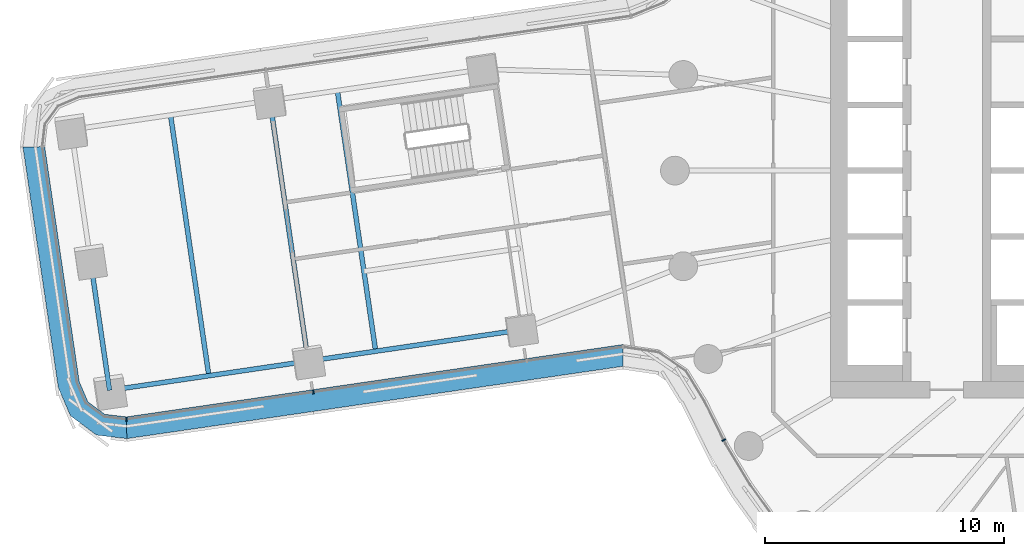
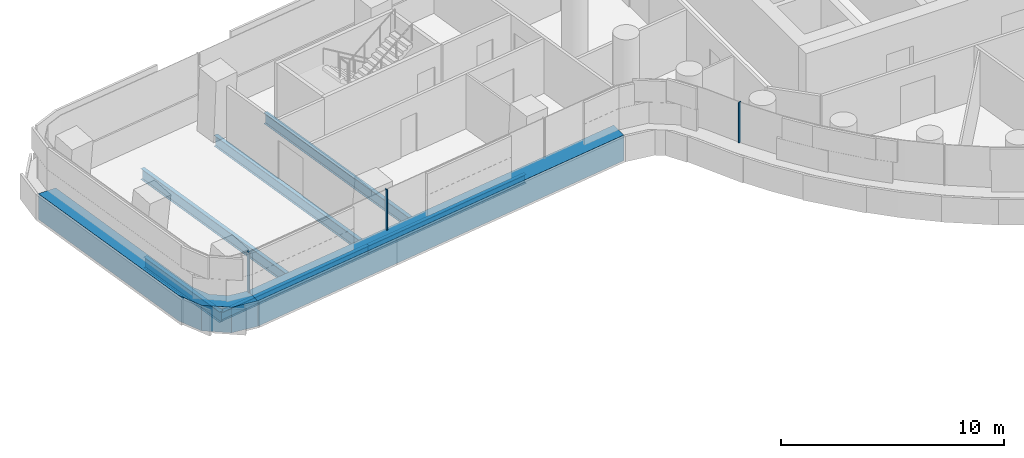
# One storey, part 4 of 31: 6 beams, 5 members, 3 elements without a shape of their own.
"""IFC4 building model written with IfcOpenShell, lengths in metres."""

from ifc_helpers import new_model, si_unit, direction, frame, origin, origin_2d, place, context, subcontext, project, spatial, polyline, rectangle, i_section, outline, extrude, material, layer, layer_set, material_profile, profile_set, type_object, element, aggregate, save


model = new_model("IFC4")

# Units and contexts
model_context = context("Model", 3, precision=1e-05, world=origin(), true_north=direction((0.0, 1.0)))
body_context = subcontext(model_context, "Body", "Model", "MODEL_VIEW")
ifc_project = project(units=[si_unit("LENGTHUNIT", "METRE"), si_unit("AREAUNIT", "SQUARE_METRE"), si_unit("VOLUMEUNIT", "CUBIC_METRE"), si_unit("PLANEANGLEUNIT", "RADIAN"), si_unit("MASSUNIT", "GRAM", prefix="KILO")], contexts=[model_context])

# Site, building, storey
site_placement = place(None, origin())
site = spatial("IfcSite", under=ifc_project, at=site_placement, CompositionType="ELEMENT")
building_placement = place(site_placement, origin())
building = spatial("IfcBuilding", under=site, at=building_placement, Name="Tamarind Cross Interchange Tower", CompositionType="ELEMENT")
storey_placement = place(building_placement, frame((0.0, 0.0, 64.0)))
storey = spatial("IfcBuildingStorey", under=building, at=storey_placement, Name="L14", CompositionType="ELEMENT", Elevation=64.0)

# Beams
ifc_material_1 = material(Name="Steel Q355B", Category="steel")
ifc_material_profile_1 = material_profile(ifc_material_1, i_section(OverallWidth=0.198974609375, OverallDepth=0.49609375, WebThickness=0.009033203125, FlangeThickness=0.013916015625, FilletRadius=0.012939453125, at=origin_2d()), Name="HN 496x199x9x14")
ifc_profile_set_1 = profile_set([ifc_material_profile_1], Name="Steel Q355B")
beam_type_1 = type_object("IfcBeamType", Name="Composite beam HN 496x199x9x14 Q355B", PredefinedType="BEAM", material=ifc_profile_set_1)
beam_1_placement = place(storey_placement, frame((-46.6103515625, -9.175048828125, -0.387939453125), z_axis=(0.989374789078, 0.145387505433, 0.0), x_axis=(-0.145387505433, 0.989374789078, 0.0)))
element("IfcBeam", 1, at=beam_1_placement, inside=storey, type_object=beam_type_1, Name="Beam W-edgeep2", PredefinedType="BEAM", context=body_context, shape_type="SweptSolid", body=[
    extrude(i_section(OverallWidth=0.198974609375, OverallDepth=0.49609375, WebThickness=0.009033203125, FlangeThickness=0.013916015625, FilletRadius=0.012939453125, at=origin_2d()), origin(), (0.0, 0.0, 1.0), 8.3828125),
])
beam_2_placement = place(storey_placement, frame((-38.316650390625, -7.956298828125, -0.387939453125), z_axis=(0.989380715921, 0.14534716703, 0.0), x_axis=(-0.14534716703, 0.989380715921, 0.0)))
element("IfcBeam", 2, at=beam_2_placement, inside=storey, type_object=beam_type_1, Name="Beam W-edgeep3", PredefinedType="BEAM", context=body_context, shape_type="SweptSolid", body=[
    extrude(i_section(OverallWidth=0.198974609375, OverallDepth=0.49609375, WebThickness=0.009033203125, FlangeThickness=0.013916015625, FilletRadius=0.012939453125, at=origin_2d()), origin(), (0.0, 0.0, 1.0), 8.999755859375),
])
ifc_material_profile_2 = material_profile(ifc_material_1, i_section(OverallWidth=0.199951171875, OverallDepth=0.60009765625, WebThickness=0.010986328125, FlangeThickness=0.01708984375, FilletRadius=0.012939453125, at=origin_2d()), Name="HN 600x200x11x17")
ifc_profile_set_2 = profile_set([ifc_material_profile_2], Name="Steel Q355B")
beam_type_2 = type_object("IfcBeamType", Name="Composite beam HN 600x200x11x17 Q355B", PredefinedType="BEAM", material=ifc_profile_set_2)
beam_3_placement = place(storey_placement, frame((-47.409912109375, -3.7333984375, -0.43994140625), z_axis=(0.145372587958, -0.98937698107, 0.0), x_axis=(0.98937698107, 0.145372587958, 0.0)))
element("IfcBeam", 3, at=beam_3_placement, inside=storey, type_object=beam_type_2, Name="Beam W-tip1", PredefinedType="BEAM", context=body_context, shape_type="SweptSolid", body=[
    extrude(i_section(OverallWidth=0.199951171875, OverallDepth=0.60009765625, WebThickness=0.010986328125, FlangeThickness=0.01708984375, FilletRadius=0.012939453125, at=origin_2d()), origin(), (0.0, 0.0, 1.0), 5.5),
])
for number, where, z_axis, x_axis, name in (
    (4, (-37.095947265625, 3.341064453125, -0.43994140625), (0.14535405438, -0.989379704095, 0.0), (0.989379704095, 0.14535405438, 0.0), "Beam W-x364"),
    (5, (-39.915771484375, 2.9267578125, -0.43994140625), (0.145375780194, -0.989376512018, 0.0), (0.989376512018, 0.145375780194, 0.0), "Beam W-x393"),
    (6, (-44.0625, 2.3173828125, -0.43994140625), (0.14535405438, -0.989379704095, 0.0), (0.989379704095, 0.14535405438, 0.0), "Beam W-x435"),
):
    element("IfcBeam", number, at=place(storey_placement, frame(where, z_axis=z_axis, x_axis=x_axis)), inside=storey, type_object=beam_type_2, Name=name, PredefinedType="BEAM", context=body_context, shape_type="SweptSolid", body=[
        extrude(i_section(OverallWidth=0.199951171875, OverallDepth=0.60009765625, WebThickness=0.010986328125, FlangeThickness=0.01708984375, FilletRadius=0.012939453125, at=origin_2d()), origin(), (0.0, 0.0, 1.0), 11.0),
    ])

# Curtain wall, member
ifc_material_2 = material(Name="Aluminium 6063-T6", Category="aluminium")
ifc_layer = layer(ifc_material_2, 0.159912109375)
ifc_layer_set = layer_set([ifc_layer], Name="Aluminium 6063-T6")
curtain_wall_type = type_object("IfcCurtainWallType", Name="Office curtain wall, 9.0 m bays", PredefinedType="NOTDEFINED", material=ifc_layer_set)
curtain_wall_1_placement = place(storey_placement, origin())
curtain_wall_1 = element("IfcCurtainWall", 7, at=curtain_wall_1_placement, inside=storey, type_object=curtain_wall_type, Name="CWS-L14-00", PredefinedType="NOTDEFINED")
ifc_material_3 = material(Name="Aluminium and insulated spandrel panel", Category="aluminium")
member_type_1 = type_object("IfcMemberType", Name="Floor-edge blade transom", PredefinedType="USERDEFINED", material=ifc_material_3)
member_1_placement = place(storey_placement, origin())
member_1 = element("IfcMember", 8, at=member_1_placement, type_object=member_type_1, Name="CWT-L14-00", ObjectType="TRANSOM", PredefinedType="USERDEFINED", context=body_context, shape_type="SweptSolid", body=[
    extrude(outline(polyline([(-49.318115234375, 1.0), (-47.8759765625, -8.815673828125), (-47.51318359375, -9.656005859375), (-46.811279296875, -10.177978515625), (-45.90185546875, -10.28369140625), (-45.888916015625, -11.19140625), (-47.155029296875, -11.0439453125), (-48.24365234375, -10.234130859375), (-48.749267578125, -9.063720703125), (-50.225830078125, 0.986328125), (-49.318115234375, 1.0)])), origin(), (0.0, 0.0, 1.0), 1.39990234375),
])
aggregate(curtain_wall_1, [member_1])

# Curtain wall, members
curtain_wall_2_placement = place(storey_placement, origin())
curtain_wall_2 = element("IfcCurtainWall", 9, at=curtain_wall_2_placement, inside=storey, type_object=curtain_wall_type, Name="CWS-L14-01", PredefinedType="NOTDEFINED")
member_2_placement = place(storey_placement, origin())
member_2 = element("IfcMember", 10, at=member_2_placement, type_object=member_type_1, Name="CWT-L14-01", ObjectType="TRANSOM", PredefinedType="USERDEFINED", context=body_context, shape_type="SweptSolid", body=[
    extrude(outline(polyline([(-45.90185546875, -10.28369140625), (-25.17724609375, -7.263916015625), (-25.177978515625, -8.173583984375), (-45.888916015625, -11.19140625), (-45.90185546875, -10.28369140625)])), origin(), (0.0, 0.0, 1.0), 1.39990234375),
])
ifc_material_profile_3 = material_profile(ifc_material_2, rectangle(XDim=0.06005859375, YDim=0.159912109375, at=origin_2d()), Name="Mullion CW1")
ifc_profile_set_3 = profile_set([ifc_material_profile_3], Name="Aluminium 6063-T6")
member_type_2 = type_object("IfcMemberType", Name="Mullion CW1", PredefinedType="MULLION", material=ifc_profile_set_3)
member_3_placement = place(storey_placement, frame((-45.900390625, -10.384521484375, 1.39990234375), z_axis=(0.0, 0.0, 1.0), x_axis=(0.999896514109, 0.014386141659, 0.0)))
member_3 = element("IfcMember", 11, at=member_3_placement, type_object=member_type_2, Name="CWM-L14-01-00", PredefinedType="MULLION", context=body_context, shape_type="SweptSolid", body=[
    extrude(rectangle(XDim=0.06005859375, YDim=0.159912109375, at=origin_2d()), origin(), (0.0, 0.0, 1.0), 2.210205078125),
])
member_4_placement = place(storey_placement, frame((-38.09912109375, -9.247802734375, 1.39990234375), z_axis=(0.0, 0.0, 1.0), x_axis=(0.989550497642, 0.144186728298, 0.0)))
member_4 = element("IfcMember", 12, at=member_4_placement, type_object=member_type_2, Name="CWM-L14-01-01", PredefinedType="MULLION", context=body_context, shape_type="SweptSolid", body=[
    extrude(rectangle(XDim=0.06005859375, YDim=0.159912109375, at=origin_2d()), origin(), (0.0, 0.0, 1.0), 2.210205078125),
])
aggregate(curtain_wall_2, [member_3, member_4, member_2])

# Curtain wall, member
curtain_wall_3_placement = place(storey_placement, origin())
curtain_wall_3 = element("IfcCurtainWall", 13, at=curtain_wall_3_placement, inside=storey, type_object=curtain_wall_type, Name="CWS-L14-02", PredefinedType="NOTDEFINED")
member_5_placement = place(storey_placement, frame((-20.95947265625, -11.252197265625, 1.39990234375), z_axis=(0.0, 0.0, 1.0), x_axis=(0.443058811505, -0.896492548518, 0.0)))
member_5 = element("IfcMember", 14, at=member_5_placement, type_object=member_type_2, Name="CWM-L14-02-01", PredefinedType="MULLION", context=body_context, shape_type="SweptSolid", body=[
    extrude(rectangle(XDim=0.06005859375, YDim=0.159912109375, at=origin_2d()), origin(), (0.0, 0.0, 1.0), 2.210205078125),
])
aggregate(curtain_wall_3, [member_5])

save(model, "model.ifc")
